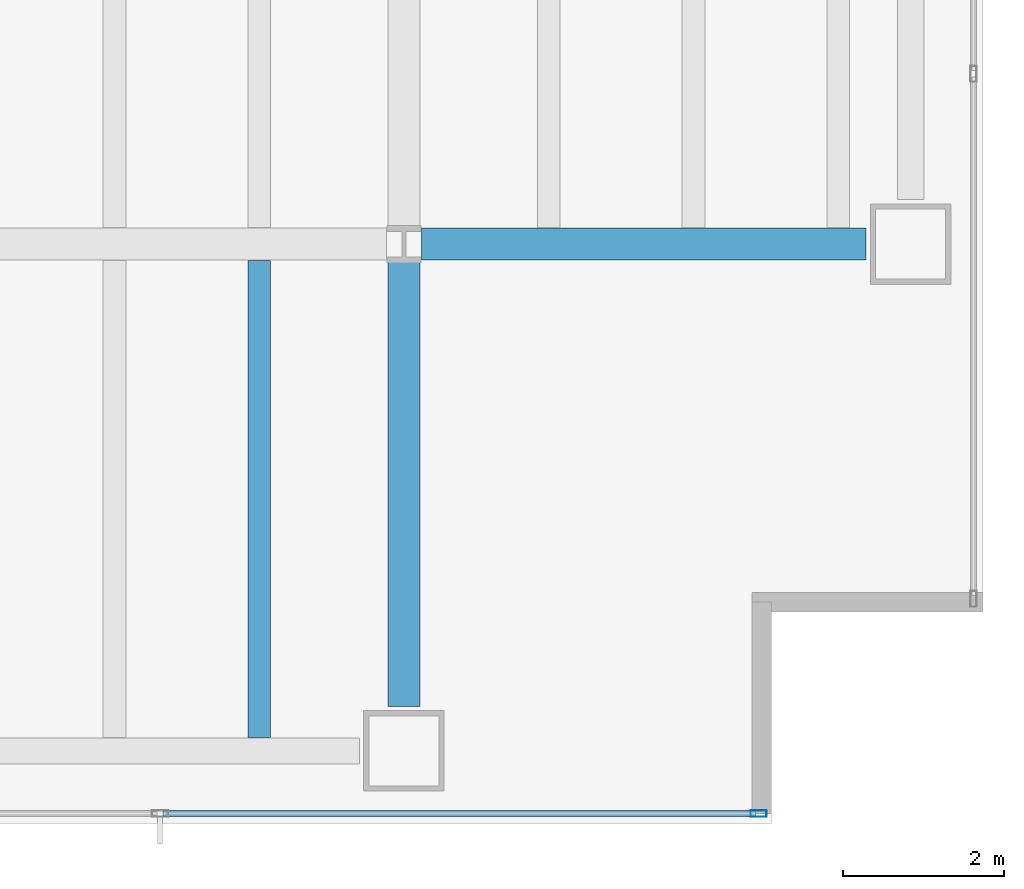
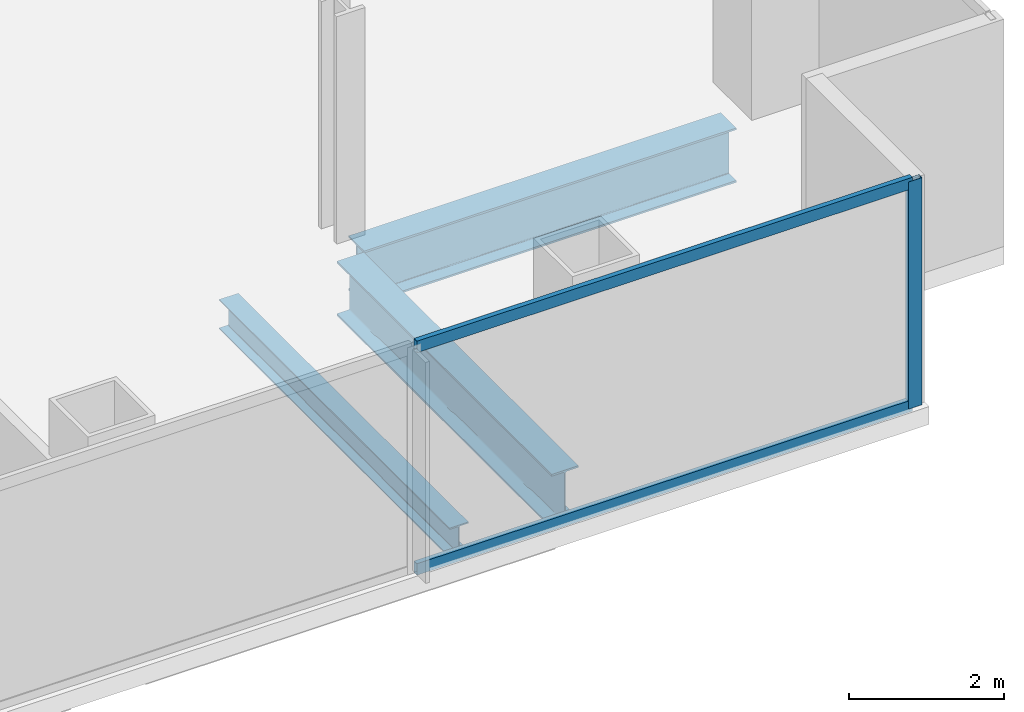
# One storey, part 8 of 25: 3 beams, 3 members, 1 element without a shape of its own.
"""IFC4 building model written with IfcOpenShell, lengths in metres."""

from ifc_helpers import new_model, si_unit, direction, frame, origin, origin_2d, place, context, subcontext, project, spatial, hollow_rectangle, i_section, extrude, material, material_profile, profile_set, type_object, element, aggregate, save


model = new_model("IFC4")

# Units and contexts
model_context = context("Model", 3, precision=1e-05, world=origin(), true_north=direction((0.0, 1.0)))
body_context = subcontext(model_context, "Body", "Model", "MODEL_VIEW")
ifc_project = project(units=[si_unit("LENGTHUNIT", "METRE"), si_unit("AREAUNIT", "SQUARE_METRE"), si_unit("VOLUMEUNIT", "CUBIC_METRE"), si_unit("PLANEANGLEUNIT", "RADIAN"), si_unit("MASSUNIT", "GRAM", prefix="KILO")], contexts=[model_context])

# Site, building, storey
site_placement = place(None, origin())
site = spatial("IfcSite", under=ifc_project, at=site_placement, CompositionType="ELEMENT")
building_placement = place(site_placement, origin())
building = spatial("IfcBuilding", under=site, at=building_placement, Name="Cobrela Telecom Tower", CompositionType="ELEMENT")
storey_placement = place(building_placement, frame((0.0, 0.0, 46.550048828125)))
storey = spatial("IfcBuildingStorey", under=building, at=storey_placement, Name="L11", CompositionType="ELEMENT", Elevation=46.550048828125)

# Beams
ifc_material_1 = material(Name="Steel ASTM A992 Grade 50", Category="steel")
ifc_material_profile_1 = material_profile(ifc_material_1, i_section(OverallWidth=0.39892578125, OverallDepth=0.85595703125, WebThickness=0.018310546875, FlangeThickness=0.029296875, FilletRadius=0.02001953125, at=origin_2d()), Name="W33X201")
ifc_profile_set_1 = profile_set([ifc_material_profile_1], Name="Steel ASTM A992 Grade 50")
beam_type_1 = type_object("IfcBeamType", Name="BM-GIRD-03", PredefinedType="USERDEFINED", material=ifc_profile_set_1)
beam_1_placement = place(storey_placement, frame((43.416015625, 7.199951171875, -0.7080078125), z_axis=(1.0, 0.0, 0.0), x_axis=(0.0, 1.0, 0.0)))
element("IfcBeam", 1, at=beam_1_placement, inside=storey, type_object=beam_type_1, Name="L11 Primary Girder X12", ObjectType="GIRDER", PredefinedType="USERDEFINED", context=body_context, shape_type="SweptSolid", body=[
    extrude(i_section(OverallWidth=0.39892578125, OverallDepth=0.85595703125, WebThickness=0.018310546875, FlangeThickness=0.029296875, FilletRadius=0.02001953125, at=origin_2d()), origin(), (0.0, 0.0, 1.0), 5.529052734375),
])
beam_2_placement = place(storey_placement, frame((43.199951171875, 1.455078125, -0.7080078125), z_axis=(0.0, 1.0, 0.0), x_axis=(-1.0, 0.0, 0.0)))
element("IfcBeam", 2, at=beam_2_placement, inside=storey, type_object=beam_type_1, Name="L11 Primary Girder Y53", ObjectType="GIRDER", PredefinedType="USERDEFINED", context=body_context, shape_type="SweptSolid", body=[
    extrude(i_section(OverallWidth=0.39892578125, OverallDepth=0.85595703125, WebThickness=0.018310546875, FlangeThickness=0.029296875, FilletRadius=0.02001953125, at=origin_2d()), origin(), (0.0, 0.0, 1.0), 5.52880859375),
])
ifc_material_profile_2 = material_profile(ifc_material_1, i_section(OverallWidth=0.281982421875, OverallDepth=0.467041015625, WebThickness=0.01220703125, FlangeThickness=0.01953125, FilletRadius=0.012939453125, at=origin_2d()), Name="W18X86")
ifc_profile_set_2 = profile_set([ifc_material_profile_2], Name="Steel ASTM A992 Grade 50")
beam_type_2 = type_object("IfcBeamType", Name="BM-JOIST-02", PredefinedType="JOIST", material=ifc_profile_set_2)
beam_3_placement = place(storey_placement, frame((41.39990234375, 1.0673828125, -0.513427734375), z_axis=(0.0, 1.0, 0.0), x_axis=(-1.0, 0.0, 0.0)))
element("IfcBeam", 3, at=beam_3_placement, inside=storey, type_object=beam_type_2, Name="L11 Secondary Composite Floor Beam J56", PredefinedType="JOIST", context=body_context, shape_type="SweptSolid", body=[
    extrude(i_section(OverallWidth=0.281982421875, OverallDepth=0.467041015625, WebThickness=0.01220703125, FlangeThickness=0.01953125, FilletRadius=0.012939453125, at=origin_2d()), origin(), (0.0, 0.0, 1.0), 5.92822265625),
])

# Curtain wall, members
ifc_material_2 = material(Name="Anodized Bronze Aluminium 6063-T6", Category="aluminium")
curtain_wall_type = type_object("IfcCurtainWallType", Name="CW-SYS-DATA", PredefinedType="USERDEFINED", material=ifc_material_2)
curtain_wall_placement = place(storey_placement, origin())
curtain_wall = element("IfcCurtainWall", 4, at=curtain_wall_placement, inside=storey, type_object=curtain_wall_type, Name="L11 Unitised Bronze Curtain Wall 17", ObjectType="UNITISED CURTAIN WALL", PredefinedType="USERDEFINED")
ifc_material_profile_3 = material_profile(ifc_material_2, hollow_rectangle(XDim=0.080078125, YDim=0.199951171875, WallThickness=0.00390625, at=origin_2d()), Name="ALU 80x200x4")
ifc_profile_set_3 = profile_set([ifc_material_profile_3], Name="Anodized Bronze Aluminium 6063-T6")
member_type_1 = type_object("IfcMemberType", Name="CW-SYS-DATA-MUL", PredefinedType="MULLION", material=ifc_profile_set_3)
member_1_placement = place(storey_placement, frame((47.610107421875, 0.1201171875, 0.0), z_axis=(0.0, 0.0, 1.0), x_axis=(0.0, -1.0, 0.0)))
member_1 = element("IfcMember", 5, at=member_1_placement, type_object=member_type_1, Name="CW-DATA mullion 1", PredefinedType="MULLION", context=body_context, shape_type="SweptSolid", body=[
    extrude(hollow_rectangle(XDim=0.080078125, YDim=0.199951171875, WallThickness=0.00390625, at=origin_2d()), origin(), (0.0, 0.0, 1.0), 3.570068359375),
])
ifc_material_profile_4 = material_profile(ifc_material_2, hollow_rectangle(XDim=0.074951171875, YDim=0.179931640625, WallThickness=0.00390625, at=origin_2d()), Name="ALU 75x180x4")
ifc_profile_set_4 = profile_set([ifc_material_profile_4], Name="Anodized Bronze Aluminium 6063-T6")
member_type_2 = type_object("IfcMemberType", Name="CW-SYS-DATA-TRN", PredefinedType="USERDEFINED", material=ifc_profile_set_4)
member_2_placement = place(storey_placement, frame((47.570068359375, 0.1201171875, 0.037353515625), z_axis=(-1.0, 0.0, 0.0), x_axis=(0.0, -1.0, 0.0)))
member_2 = element("IfcMember", 6, at=member_2_placement, type_object=member_type_2, Name="CW-DATA transom 1.1", ObjectType="TRANSOM", PredefinedType="USERDEFINED", context=body_context, shape_type="SweptSolid", body=[
    extrude(hollow_rectangle(XDim=0.074951171875, YDim=0.179931640625, WallThickness=0.00390625, at=origin_2d()), origin(), (0.0, 0.0, 1.0), 7.36328125),
])
member_3_placement = place(storey_placement, frame((47.570068359375, 0.1201171875, 3.532470703125), z_axis=(-1.0, 0.0, 0.0), x_axis=(0.0, -1.0, 0.0)))
member_3 = element("IfcMember", 7, at=member_3_placement, type_object=member_type_2, Name="CW-DATA transom 1.2", ObjectType="TRANSOM", PredefinedType="USERDEFINED", context=body_context, shape_type="SweptSolid", body=[
    extrude(hollow_rectangle(XDim=0.074951171875, YDim=0.179931640625, WallThickness=0.00390625, at=origin_2d()), origin(), (0.0, 0.0, 1.0), 7.36328125),
])
aggregate(curtain_wall, [member_1, member_2, member_3])

save(model, "model.ifc")
